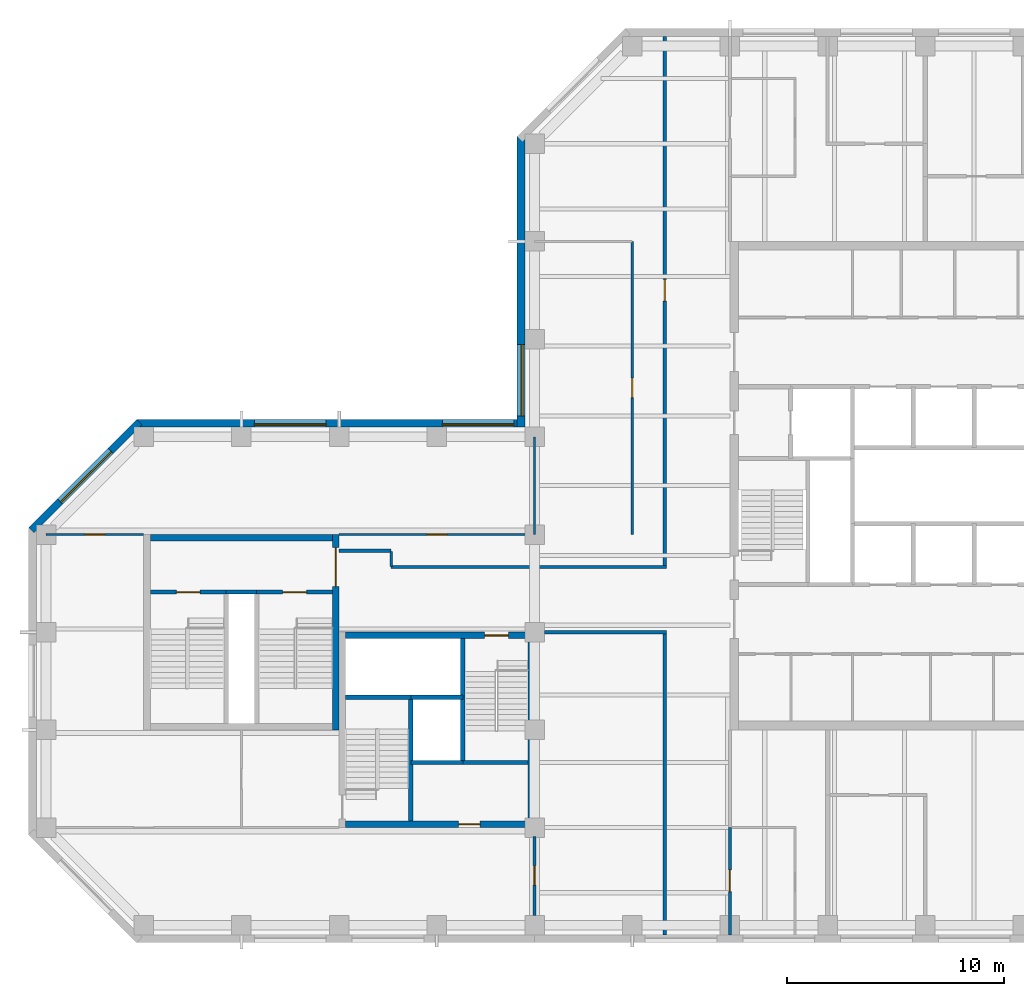
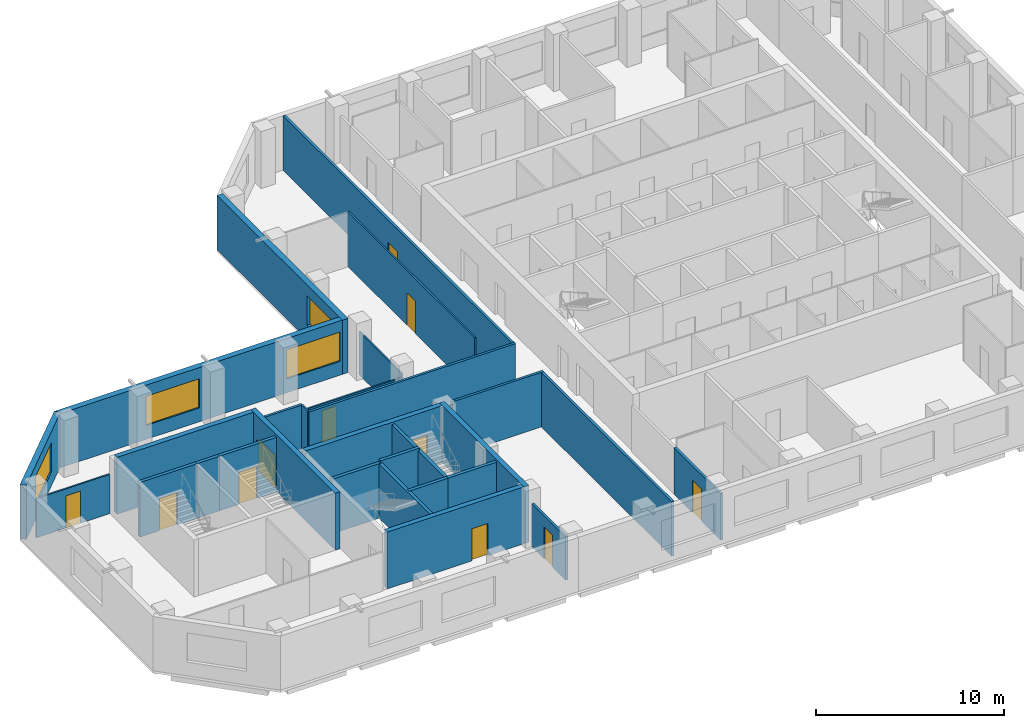
# One storey, part 3 of 9: 29 walls, 11 doors, 4 windows, 15 openings.
"""IFC4 building model written with IfcOpenShell, lengths in metres."""

from ifc_helpers import new_model, si_unit, direction, frame, frame_2d, origin, place, context, subcontext, project, spatial, rectangle, extrude, material, layer, layer_set, constituent, constituent_set, type_object, element, fill, save


model = new_model("IFC4")

# Units and contexts
model_context = context("Model", 3, precision=1e-05, world=origin(), true_north=direction((0.0, 1.0)))
body_context = subcontext(model_context, "Body", "Model", "MODEL_VIEW")
ifc_project = project(units=[si_unit("LENGTHUNIT", "METRE"), si_unit("AREAUNIT", "SQUARE_METRE"), si_unit("VOLUMEUNIT", "CUBIC_METRE"), si_unit("PLANEANGLEUNIT", "RADIAN"), si_unit("MASSUNIT", "GRAM", prefix="KILO")], contexts=[model_context])

# Site, building, storey
site_placement = place(None, origin())
site = spatial("IfcSite", under=ifc_project, at=site_placement, CompositionType="ELEMENT")
building_placement = place(site_placement, origin())
building = spatial("IfcBuilding", under=site, at=building_placement, Name="Quoin Convention Tower", CompositionType="ELEMENT")
storey_placement = place(building_placement, frame((0.0, 0.0, 230.39990234375)))
storey = spatial("IfcBuildingStorey", under=building, at=storey_placement, Name="L60", CompositionType="ELEMENT", Elevation=230.39990234375)

# Wall, opening, window
ifc_material_1 = material(Name="Brick masonry", Category="masonry")
ifc_layer_1 = layer(ifc_material_1, 0.35009765625)
ifc_layer_set_1 = layer_set([ifc_layer_1], Name="Brick masonry")
wall_type_1 = type_object("IfcWallType", Name="Brick facade wall", PredefinedType="STANDARD", material=ifc_layer_set_1)
wall_1_placement = place(storey_placement, frame((35.375, 76.831298828125, 0.0), z_axis=(0.0, 0.0, 1.0), x_axis=(0.0, -1.0, 0.0)))
wall_1 = element("IfcWall", 1, at=wall_1_placement, inside=storey, type_object=wall_type_1, Name="fw-L60-36000_76500", PredefinedType="STANDARD", context=body_context, shape_type="SweptSolid", body=[
    extrude(rectangle(XDim=13.38134765625, YDim=0.35009765625, at=frame_2d((6.690673828125, 0.0))), origin(), (0.0, 0.0, 1.0), 3.525146484375),
])
opening_1_placement = place(wall_1_placement, frame((9.581298828125, 0.0, 0.89990234375)))
opening_1 = element("IfcOpeningElement", 2, at=opening_1_placement, cuts=wall_1, Name="Opening W-02", PredefinedType="OPENING", context=body_context, shape_type="SweptSolid", body=[
    extrude(rectangle(XDim=3.300048828125, YDim=1.89990234375, at=frame_2d((1.64990234375, 0.949951171875))), frame((0.0, 0.18505859375, 0.0), z_axis=(0.0, -1.0, 0.0), x_axis=(1.0, 0.0, 0.0)), (0.0, 0.0, 1.0), 0.3701171875),
])
ifc_material_2 = material(Name="Aluminium", Category="aluminium")
ifc_constituent_1 = constituent(ifc_material_2, Name="Frame")
ifc_material_3 = material(Name="Insulated glass", Category="glass")
ifc_constituent_2 = constituent(ifc_material_3, Name="Glazing")
ifc_constituent_set = constituent_set(constituents=[ifc_constituent_1, ifc_constituent_2], Name="Aluminium")
window_type = type_object("IfcWindowType", Name="Office window", PartitioningType="DOUBLE_PANEL_VERTICAL", PredefinedType="WINDOW", material=ifc_constituent_set)
window_1_placement = place(opening_1_placement, origin())
window_1 = element("IfcWindow", 3, at=window_1_placement, inside=storey, type_object=window_type, Name="win-L60-35375_65250", OverallHeight=1.89990234375, OverallWidth=3.300048828125, PartitioningType="SINGLE_PANEL", PredefinedType="WINDOW", context=body_context, shape_type="SweptSolid", body=[
    extrude(rectangle(XDim=3.300048828125, YDim=1.89990234375, at=frame_2d((1.64990234375, 0.949951171875))), frame((0.0, 0.0849609375, 0.0), z_axis=(0.0, -1.0, 0.0), x_axis=(1.0, 0.0, 0.0)), (0.0, 0.0, 1.0), 0.06005859375),
])
fill(opening_1, window_1)

# Wall, openings, windows
wall_2_placement = place(storey_placement, frame((35.550048828125, 63.625, 0.0), z_axis=(0.0, 0.0, 1.0), x_axis=(-1.0, 0.0, 0.0)))
wall_2 = element("IfcWall", 4, at=wall_2_placement, inside=storey, type_object=wall_type_1, Name="fw-L60-36000_63000", PredefinedType="STANDARD", context=body_context, shape_type="SweptSolid", body=[
    extrude(rectangle(XDim=17.88134765625, YDim=0.35009765625, at=frame_2d((8.940673828125, 0.0))), origin(), (0.0, 0.0, 1.0), 3.525146484375),
])
opening_2_placement = place(wall_2_placement, frame((0.5, 0.0, 0.89990234375)))
opening_2 = element("IfcOpeningElement", 5, at=opening_2_placement, cuts=wall_2, Name="Opening W-02", PredefinedType="OPENING", context=body_context, shape_type="SweptSolid", body=[
    extrude(rectangle(XDim=3.300048828125, YDim=1.89990234375, at=frame_2d((1.64990234375, 0.949951171875))), frame((0.0, 0.18505859375, 0.0), z_axis=(0.0, -1.0, 0.0), x_axis=(1.0, 0.0, 0.0)), (0.0, 0.0, 1.0), 0.3701171875),
])
opening_3_placement = place(wall_2_placement, frame((9.14990234375, 0.0, 0.89990234375)))
opening_3 = element("IfcOpeningElement", 6, at=opening_3_placement, cuts=wall_2, Name="Opening W-02", PredefinedType="OPENING", context=body_context, shape_type="SweptSolid", body=[
    extrude(rectangle(XDim=3.300048828125, YDim=1.89990234375, at=frame_2d((1.64990234375, 0.949951171875))), frame((0.0, 0.18505859375, 0.0), z_axis=(0.0, -1.0, 0.0), x_axis=(1.0, 0.0, 0.0)), (0.0, 0.0, 1.0), 0.3701171875),
])
window_2_placement = place(opening_2_placement, origin())
window_2 = element("IfcWindow", 7, at=window_2_placement, inside=storey, type_object=window_type, Name="win-L60-33750_63625", OverallHeight=1.89990234375, OverallWidth=3.300048828125, PartitioningType="SINGLE_PANEL", PredefinedType="WINDOW", context=body_context, shape_type="SweptSolid", body=[
    extrude(rectangle(XDim=3.300048828125, YDim=1.89990234375, at=frame_2d((1.64990234375, 0.949951171875))), frame((0.0, 0.0849609375, 0.0), z_axis=(0.0, -1.0, 0.0), x_axis=(1.0, 0.0, 0.0)), (0.0, 0.0, 1.0), 0.06005859375),
])
fill(opening_2, window_2)
window_3_placement = place(opening_3_placement, origin())
window_3 = element("IfcWindow", 8, at=window_3_placement, inside=storey, type_object=window_type, Name="win-L60-24750_63625", OverallHeight=1.89990234375, OverallWidth=3.300048828125, PartitioningType="SINGLE_PANEL", PredefinedType="WINDOW", context=body_context, shape_type="SweptSolid", body=[
    extrude(rectangle(XDim=3.300048828125, YDim=1.89990234375, at=frame_2d((1.64990234375, 0.949951171875))), frame((0.0, 0.0849609375, 0.0), z_axis=(0.0, -1.0, 0.0), x_axis=(1.0, 0.0, 0.0)), (0.0, 0.0, 1.0), 0.06005859375),
])
fill(opening_3, window_3)

# Wall, opening, window
wall_3_placement = place(storey_placement, frame((17.79248046875, 63.67626953125, 0.0), z_axis=(0.0, 0.0, 1.0), x_axis=(-0.707106781187, -0.707106781187, 0.0)))
wall_3 = element("IfcWall", 9, at=wall_3_placement, inside=storey, type_object=wall_type_1, Name="fw-L60-18000_63000", PredefinedType="STANDARD", context=body_context, shape_type="SweptSolid", body=[
    extrude(rectangle(XDim=7.02685546875, YDim=0.35009765625, at=frame_2d((3.513427734375, 0.0))), origin(), (0.0, 0.0, 1.0), 3.525146484375),
])
opening_4_placement = place(wall_3_placement, frame((1.86328125, 0.0, 0.89990234375)))
opening_4 = element("IfcOpeningElement", 10, at=opening_4_placement, cuts=wall_3, Name="Opening W-02", PredefinedType="OPENING", context=body_context, shape_type="SweptSolid", body=[
    extrude(rectangle(XDim=3.300048828125, YDim=1.89990234375, at=frame_2d((1.64990234375, 0.949951171875))), frame((0.0, 0.18505859375, 0.0), z_axis=(0.0, -1.0, 0.0), x_axis=(1.0, 0.0, 0.0)), (0.0, 0.0, 1.0), 0.3701171875),
])
window_4_placement = place(opening_4_placement, origin())
window_4 = element("IfcWindow", 11, at=window_4_placement, inside=storey, type_object=window_type, Name="win-L60-15308_61192", OverallHeight=1.89990234375, OverallWidth=3.300048828125, PartitioningType="SINGLE_PANEL", PredefinedType="WINDOW", context=body_context, shape_type="SweptSolid", body=[
    extrude(rectangle(XDim=3.300048828125, YDim=1.89990234375, at=frame_2d((1.64990234375, 0.949951171875))), frame((0.0, 0.0849609375, 0.0), z_axis=(0.0, -1.0, 0.0), x_axis=(1.0, 0.0, 0.0)), (0.0, 0.0, 1.0), 0.06005859375),
])
fill(opening_4, window_4)

# Walls
ifc_material_4 = material(Name="Concrete C50", Category="concrete")
ifc_layer_2 = layer(ifc_material_4, 0.199951171875)
ifc_layer_set_2 = layer_set([ifc_layer_2], Name="Concrete C50")
wall_type_2 = type_object("IfcWallType", Name="Core shaft wall", PredefinedType="SOLIDWALL", material=ifc_layer_set_2)
wall_4_placement = place(storey_placement, frame((30.300048828125, 48.0, 0.0), z_axis=(0.0, 0.0, 1.0), x_axis=(1.0, 0.0, 0.0)))
element("IfcWall", 12, at=wall_4_placement, inside=storey, type_object=wall_type_2, Name="cr-P2-L60-h3000_3300", PredefinedType="SOLIDWALL", context=body_context, shape_type="SweptSolid", body=[
    extrude(rectangle(XDim=2.39990234375, YDim=0.199951171875, at=frame_2d((1.199951171875, 0.0))), origin(), (0.0, 0.0, 1.0), 3.550048828125),
])
for number, where, z_axis, x_axis, name in (
    (13, (32.699951171875, 48.0, 0.0), (0.0, 0.0, 1.0), (1.0, 0.0, 0.0), "cr-P2-L60-h3000_5700"),
    (14, (27.300048828125, 51.0, 0.0), (0.0, 0.0, 1.0), (1.0, 0.0, 0.0), "cr-P2-L60-h6000_300"),
):
    element("IfcWall", number, at=place(storey_placement, frame(where, z_axis=z_axis, x_axis=x_axis)), inside=storey, type_object=wall_type_2, Name=name, PredefinedType="SOLIDWALL", context=body_context, shape_type="SweptSolid", body=[
        extrude(rectangle(XDim=3.0, YDim=0.199951171875, at=frame_2d((1.5, 0.0))), origin(), (0.0, 0.0, 1.0), 3.550048828125),
    ])
for number, where, z_axis, x_axis, name in (
    (15, (30.300048828125, 45.300048828125, 0.0), (0.0, 0.0, 1.0), (0.0, 1.0, 0.0), "cr-P2-L60-v3300_300"),
    (16, (32.699951171875, 48.0, 0.0), (0.0, 0.0, 1.0), (0.0, 1.0, 0.0), "cr-P2-L60-v5700_3000"),
):
    element("IfcWall", number, at=place(storey_placement, frame(where, z_axis=z_axis, x_axis=x_axis)), inside=storey, type_object=wall_type_2, Name=name, PredefinedType="SOLIDWALL", context=body_context, shape_type="SweptSolid", body=[
        extrude(rectangle(XDim=5.699951171875, YDim=0.199951171875, at=frame_2d((2.85009765625, 0.0))), origin(), (0.0, 0.0, 1.0), 3.550048828125),
    ])
wall_5_placement = place(storey_placement, frame((21.800048828125, 55.85009765625, 0.0), z_axis=(0.0, 0.0, 1.0), x_axis=(1.0, 0.0, 0.0)))
element("IfcWall", 17, at=wall_5_placement, inside=storey, type_object=wall_type_2, Name="cr-P6-L60-h6350_3800", PredefinedType="SOLIDWALL", context=body_context, shape_type="SweptSolid", body=[
    extrude(rectangle(XDim=1.39990234375, YDim=0.199951171875, at=frame_2d((0.699951171875, 0.0))), origin(), (0.0, 0.0, 1.0), 3.550048828125),
])

# Wall, opening, door
wall_6_placement = place(storey_placement, frame((18.300048828125, 55.85009765625, 0.0), z_axis=(0.0, 0.0, 1.0), x_axis=(1.0, 0.0, 0.0)))
wall_6 = element("IfcWall", 18, at=wall_6_placement, inside=storey, type_object=wall_type_2, Name="cr-P6-L60-h6350_300", PredefinedType="SOLIDWALL", context=body_context, shape_type="SweptSolid", body=[
    extrude(rectangle(XDim=3.5, YDim=0.199951171875, at=frame_2d((1.75, 0.0))), origin(), (0.0, 0.0, 1.0), 3.550048828125),
])
opening_5_placement = place(wall_6_placement, frame((1.199951171875, 0.0, 0.0)))
opening_5 = element("IfcOpeningElement", 19, at=opening_5_placement, cuts=wall_6, Name="Opening SD11", PredefinedType="OPENING", context=body_context, shape_type="SweptSolid", body=[
    extrude(rectangle(XDim=1.10009765625, YDim=2.10009765625, at=frame_2d((0.550048828125, 1.050048828125))), frame((0.0, 0.10986328125, 0.0), z_axis=(0.0, -1.0, 0.0), x_axis=(1.0, 0.0, 0.0)), (0.0, 0.0, 1.0), 0.219970703125),
])
ifc_material_5 = material(Name="Steel door leaf", Category="steel")
door_type_1 = type_object("IfcDoorType", Name="Stair door 1100 x 2100", OperationType="SINGLE_SWING_RIGHT", PredefinedType="DOOR", material=ifc_material_5)
door_1_placement = place(opening_5_placement, origin())
door_1 = element("IfcDoor", 20, at=door_1_placement, inside=storey, type_object=door_type_1, Name="cd-P6-L60-SA-R2-SD11", OperationType="SINGLE_SWING_RIGHT", OverallHeight=2.10009765625, OverallWidth=1.10009765625, PredefinedType="DOOR", context=body_context, shape_type="SweptSolid", body=[
    extrude(rectangle(XDim=1.10009765625, YDim=2.10009765625, at=frame_2d((0.550048828125, 1.050048828125))), frame((0.0, 0.02490234375, 0.0), z_axis=(0.0, -1.0, 0.0), x_axis=(1.0, 0.0, 0.0)), (0.0, 0.0, 1.0), 0.050048828125),
])
fill(opening_5, door_1)

wall_7_placement = place(storey_placement, frame((23.199951171875, 55.85009765625, 0.0), z_axis=(0.0, 0.0, 1.0), x_axis=(1.0, 0.0, 0.0)))
wall_7 = element("IfcWall", 21, at=wall_7_placement, inside=storey, type_object=wall_type_2, Name="cr-P6-L60-h6350_5200", PredefinedType="SOLIDWALL", context=body_context, shape_type="SweptSolid", body=[
    extrude(rectangle(XDim=3.5, YDim=0.199951171875, at=frame_2d((1.75, 0.0))), origin(), (0.0, 0.0, 1.0), 3.550048828125),
])
opening_6_placement = place(wall_7_placement, frame((1.199951171875, 0.0, 0.0)))
opening_6 = element("IfcOpeningElement", 22, at=opening_6_placement, cuts=wall_7, Name="Opening SD12", PredefinedType="OPENING", context=body_context, shape_type="SweptSolid", body=[
    extrude(rectangle(XDim=1.10009765625, YDim=2.10009765625, at=frame_2d((0.550048828125, 1.050048828125))), frame((0.0, 0.10986328125, 0.0), z_axis=(0.0, -1.0, 0.0), x_axis=(1.0, 0.0, 0.0)), (0.0, 0.0, 1.0), 0.219970703125),
])
door_2_placement = place(opening_6_placement, origin())
door_2 = element("IfcDoor", 23, at=door_2_placement, inside=storey, type_object=door_type_1, Name="cd-P6-L60-SB-R2-SD12", OperationType="SINGLE_SWING_RIGHT", OverallHeight=2.10009765625, OverallWidth=1.10009765625, PredefinedType="DOOR", context=body_context, shape_type="SweptSolid", body=[
    extrude(rectangle(XDim=1.10009765625, YDim=2.10009765625, at=frame_2d((0.550048828125, 1.050048828125))), frame((0.0, 0.02490234375, 0.0), z_axis=(0.0, -1.0, 0.0), x_axis=(1.0, 0.0, 0.0)), (0.0, 0.0, 1.0), 0.050048828125),
])
fill(opening_6, door_2)

# Walls
ifc_layer_3 = layer(ifc_material_4, 0.199951171875)
ifc_layer_set_3 = layer_set([ifc_layer_3], Name="Concrete C50")
wall_type_3 = type_object("IfcWallType", Name="Core shaft wall to the floor level over", PredefinedType="SOLIDWALL", material=ifc_layer_set_3)
wall_8_placement = place(storey_placement, frame((30.300048828125, 51.0, 0.0), z_axis=(0.0, 0.0, 1.0), x_axis=(1.0, 0.0, 0.0)))
element("IfcWall", 24, at=wall_8_placement, inside=storey, type_object=wall_type_3, Name="cr-P2-L60-h6000_3300", PredefinedType="SOLIDWALL", context=body_context, shape_type="SweptSolid", body=[
    extrude(rectangle(XDim=2.39990234375, YDim=0.199951171875, at=frame_2d((1.199951171875, 0.0))), origin(), (0.0, 0.0, 1.0), 3.7001953125),
])
ifc_material_6 = material(Name="Plasterboard")
ifc_layer_4 = layer(ifc_material_6, 0.012451171875, Name="Finish")
ifc_material_7 = material(Name="Steel stud framing", Category="steel")
ifc_layer_5 = layer(ifc_material_7, 0.125, Name="Structure")
ifc_layer_6 = layer(ifc_material_6, 0.012451171875, Name="Finish")
ifc_layer_set_4 = layer_set([ifc_layer_4, ifc_layer_5, ifc_layer_6], Name="Steel stud framing")
wall_type_4 = type_object("IfcWallType", Name="Corridor wall 150", PredefinedType="PARTITIONING", material=ifc_layer_set_4)
wall_9_placement = place(storey_placement, frame((36.449951171875, 54.0, 0.0), z_axis=(0.0, 0.0, 1.0), x_axis=(1.0, 0.0, 0.0)))
element("IfcWall", 25, at=wall_9_placement, inside=storey, type_object=wall_type_4, Name="pw-L60-014", PredefinedType="PARTITIONING", context=body_context, shape_type="SweptSolid", body=[
    extrude(rectangle(XDim=5.625, YDim=0.14990234375, at=frame_2d((2.8125, 0.0))), origin(), (0.0, 0.0, 1.0), 3.550048828125),
])
wall_10_placement = place(storey_placement, frame((29.3798828125, 57.0, 0.0), z_axis=(0.0, 0.0, 1.0), x_axis=(1.0, 0.0, 0.0)))
element("IfcWall", 26, at=wall_10_placement, inside=storey, type_object=wall_type_4, Name="pw-L60-015", PredefinedType="PARTITIONING", context=body_context, shape_type="SweptSolid", body=[
    extrude(rectangle(XDim=12.695068359375, YDim=0.14990234375, at=frame_2d((6.34765625, 0.0))), origin(), (0.0, 0.0, 1.0), 3.550048828125),
])
wall_11_placement = place(storey_placement, frame((42.0, 40.050048828125, 0.0), z_axis=(0.0, 0.0, 1.0), x_axis=(0.0, 1.0, 0.0)))
element("IfcWall", 27, at=wall_11_placement, inside=storey, type_object=wall_type_4, Name="pw-L60-035", PredefinedType="PARTITIONING", context=body_context, shape_type="SweptSolid", body=[
    extrude(rectangle(XDim=13.875, YDim=0.14990234375, at=frame_2d((6.9375, 0.0))), origin(), (0.0, 0.0, 1.0), 3.550048828125),
])

# Wall, opening, door
wall_12_placement = place(storey_placement, frame((42.0, 57.074951171875, 0.0), z_axis=(0.0, 0.0, 1.0), x_axis=(0.0, 1.0, 0.0)))
wall_12 = element("IfcWall", 28, at=wall_12_placement, inside=storey, type_object=wall_type_4, Name="pw-L60-057", PredefinedType="PARTITIONING", context=body_context, shape_type="SweptSolid", body=[
    extrude(rectangle(XDim=24.375, YDim=0.14990234375, at=frame_2d((12.1875, 0.0))), origin(), (0.0, 0.0, 1.0), 3.550048828125),
])
opening_7_placement = place(wall_12_placement, frame((12.175048828125, 0.0, 0.0)))
opening_7 = element("IfcOpeningElement", 29, at=opening_7_placement, cuts=wall_12, Name="Opening DOH10-14", PredefinedType="OPENING", context=body_context, shape_type="SweptSolid", body=[
    extrude(rectangle(XDim=1.0, YDim=2.10009765625, at=frame_2d((0.5, 1.050048828125))), frame((0.0, 0.0849609375, 0.0), z_axis=(0.0, -1.0, 0.0), x_axis=(1.0, 0.0, 0.0)), (0.0, 0.0, 1.0), 0.169921875),
])
door_type_2 = type_object("IfcDoorType", Name="Tenancy entrance door 1000 x 2100", OperationType="DOUBLE_DOOR_SINGLE_SWING", PredefinedType="DOOR", material=ifc_material_5)
door_3_placement = place(opening_7_placement, origin())
door_3 = element("IfcDoor", 30, at=door_3_placement, inside=storey, type_object=door_type_2, Name="dr-L60-w01", OperationType="DOUBLE_DOOR_SINGLE_SWING", OverallHeight=2.10009765625, OverallWidth=1.0, PredefinedType="DOOR", context=body_context, shape_type="SweptSolid", body=[
    extrude(rectangle(XDim=1.0, YDim=2.10009765625, at=frame_2d((0.5, 1.050048828125))), frame((0.0, 0.02490234375, 0.0), z_axis=(0.0, -1.0, 0.0), x_axis=(1.0, 0.0, 0.0)), (0.0, 0.0, 1.0), 0.050048828125),
])
fill(opening_7, door_3)

# Wall
wall_13_placement = place(storey_placement, frame((27.0, 57.75, 0.0), z_axis=(0.0, 0.0, 1.0), x_axis=(1.0, 0.0, 0.0)))
element("IfcWall", 31, at=wall_13_placement, inside=storey, type_object=wall_type_4, Name="pw-L60-w09", PredefinedType="PARTITIONING", context=body_context, shape_type="SweptSolid", body=[
    extrude(rectangle(XDim=2.39990234375, YDim=0.14990234375, at=frame_2d((1.199951171875, 0.0))), origin(), (0.0, 0.0, 1.0), 3.550048828125),
])

# Wall, opening, door
ifc_layer_7 = layer(ifc_material_6, 0.012451171875, Name="Finish")
ifc_layer_8 = layer(ifc_material_7, 0.125, Name="Structure")
ifc_layer_9 = layer(ifc_material_6, 0.012451171875, Name="Finish")
ifc_layer_set_5 = layer_set([ifc_layer_7, ifc_layer_8, ifc_layer_9], Name="Steel stud framing")
wall_type_5 = type_object("IfcWallType", Name="Corridor wall 150 under beam 528", PredefinedType="PARTITIONING", material=ifc_layer_set_5)
wall_14_placement = place(storey_placement, frame((45.0, 40.050048828125, 0.0), z_axis=(0.0, 0.0, 1.0), x_axis=(0.0, 1.0, 0.0)))
wall_14 = element("IfcWall", 32, at=wall_14_placement, inside=storey, type_object=wall_type_5, Name="pw-L60-036", PredefinedType="PARTITIONING", context=body_context, shape_type="SweptSolid", body=[
    extrude(rectangle(XDim=4.949951171875, YDim=0.14990234375, at=frame_2d((2.47509765625, 0.0))), origin(), (0.0, 0.0, 1.0), 3.022216796875),
])
opening_8_placement = place(wall_14_placement, frame((2.0, 0.0, 0.0)))
opening_8 = element("IfcOpeningElement", 33, at=opening_8_placement, cuts=wall_14, Name="Opening DOH10-08", PredefinedType="OPENING", context=body_context, shape_type="SweptSolid", body=[
    extrude(rectangle(XDim=1.0, YDim=2.10009765625, at=frame_2d((0.5, 1.050048828125))), frame((0.0, 0.0849609375, 0.0), z_axis=(0.0, -1.0, 0.0), x_axis=(1.0, 0.0, 0.0)), (0.0, 0.0, 1.0), 0.169921875),
])
door_4_placement = place(opening_8_placement, frame((1.0, 0.0, 0.0), z_axis=(0.0, 0.0, 1.0), x_axis=(-1.0, 0.0, 0.0)))
door_4 = element("IfcDoor", 34, at=door_4_placement, inside=storey, type_object=door_type_2, Name="dr-L60-10", OperationType="DOUBLE_DOOR_SINGLE_SWING", OverallHeight=2.10009765625, OverallWidth=1.0, PredefinedType="DOOR", context=body_context, shape_type="SweptSolid", body=[
    extrude(rectangle(XDim=1.0, YDim=2.10009765625, at=frame_2d((0.5, 1.050048828125))), frame((0.0, 0.02490234375, 0.0), z_axis=(0.0, -1.0, 0.0), x_axis=(1.0, 0.0, 0.0)), (0.0, 0.0, 1.0), 0.050048828125),
])
fill(opening_8, door_4)

ifc_layer_10 = layer(ifc_material_6, 0.012451171875, Name="Finish")
ifc_layer_11 = layer(ifc_material_7, 0.125, Name="Structure")
ifc_layer_12 = layer(ifc_material_6, 0.012451171875, Name="Finish")
ifc_layer_set_6 = layer_set([ifc_layer_10, ifc_layer_11, ifc_layer_12], Name="Steel stud framing")
wall_type_6 = type_object("IfcWallType", Name="Corridor wall 150 under beam 750", PredefinedType="PARTITIONING", material=ifc_layer_set_6)
wall_15_placement = place(storey_placement, frame((36.0, 40.949951171875, 0.0), z_axis=(0.0, 0.0, 1.0), x_axis=(0.0, 1.0, 0.0)))
wall_15 = element("IfcWall", 35, at=wall_15_placement, inside=storey, type_object=wall_type_6, Name="pw-L60-042", PredefinedType="PARTITIONING", context=body_context, shape_type="SweptSolid", body=[
    extrude(rectangle(XDim=3.630126953125, YDim=0.14990234375, at=frame_2d((1.81494140625, 0.0))), origin(), (0.0, 0.0, 1.0), 2.800048828125),
])
opening_9_placement = place(wall_15_placement, frame((1.39990234375, 0.0, 0.0)))
opening_9 = element("IfcOpeningElement", 36, at=opening_9_placement, cuts=wall_15, Name="Opening DOH10-10", PredefinedType="OPENING", context=body_context, shape_type="SweptSolid", body=[
    extrude(rectangle(XDim=0.89990234375, YDim=2.10009765625, at=frame_2d((0.449951171875, 1.050048828125))), frame((0.0, 0.0849609375, 0.0), z_axis=(0.0, -1.0, 0.0), x_axis=(1.0, 0.0, 0.0)), (0.0, 0.0, 1.0), 0.169921875),
])
door_type_3 = type_object("IfcDoorType", Name="Office door 900 x 2100", OperationType="SINGLE_SWING_RIGHT", PredefinedType="DOOR", material=ifc_material_5)
door_5_placement = place(opening_9_placement, origin())
door_5 = element("IfcDoor", 37, at=door_5_placement, inside=storey, type_object=door_type_3, Name="dr-L60-01", OperationType="SINGLE_SWING_RIGHT", OverallHeight=2.10009765625, OverallWidth=0.89990234375, PredefinedType="DOOR", context=body_context, shape_type="SweptSolid", body=[
    extrude(rectangle(XDim=0.89990234375, YDim=2.10009765625, at=frame_2d((0.449951171875, 1.050048828125))), frame((0.0, 0.02490234375, 0.0), z_axis=(0.0, -1.0, 0.0), x_axis=(1.0, 0.0, 0.0)), (0.0, 0.0, 1.0), 0.050048828125),
])
fill(opening_9, door_5)

ifc_layer_13 = layer(ifc_material_4, 0.300048828125)
ifc_layer_set_7 = layer_set([ifc_layer_13], Name="Concrete C50")
wall_type_7 = type_object("IfcWallType", Name="RC CORE WALL 300 C50", PredefinedType="SHEAR", material=ifc_layer_set_7)
wall_16_placement = place(storey_placement, frame((27.300048828125, 45.14990234375, 0.0), z_axis=(0.0, 0.0, 1.0), x_axis=(1.0, 0.0, 0.0)))
wall_16 = element("IfcWall", 38, at=wall_16_placement, inside=storey, type_object=wall_type_7, Name="cwl-P2-L60-S", PredefinedType="SHEAR", context=body_context, shape_type="SweptSolid", body=[
    extrude(rectangle(XDim=8.39990234375, YDim=0.300048828125, at=frame_2d((4.199951171875, 0.0))), origin(), (0.0, 0.0, 1.0), 3.7001953125),
])
opening_10_placement = place(wall_16_placement, frame((5.199951171875, 0.0, 0.0)))
opening_10 = element("IfcOpeningElement", 39, at=opening_10_placement, cuts=wall_16, Name="Opening DCV2-41", PredefinedType="OPENING", context=body_context, shape_type="SweptSolid", body=[
    extrude(rectangle(XDim=1.0, YDim=2.10009765625, at=frame_2d((0.5, 1.050048828125))), frame((0.0, 0.159912109375, 0.0), z_axis=(0.0, -1.0, 0.0), x_axis=(1.0, 0.0, 0.0)), (0.0, 0.0, 1.0), 0.320068359375),
])
door_type_4 = type_object("IfcDoorType", Name="Service door 1000 x 2100", OperationType="SINGLE_SWING_LEFT", PredefinedType="DOOR", material=ifc_material_5)
door_6_placement = place(opening_10_placement, frame((1.0, 0.0, 0.0), z_axis=(0.0, 0.0, 1.0), x_axis=(-1.0, 0.0, 0.0)))
door_6 = element("IfcDoor", 40, at=door_6_placement, inside=storey, type_object=door_type_4, Name="cd-P2-L60-R2-S", OperationType="SINGLE_SWING_LEFT", OverallHeight=2.10009765625, OverallWidth=1.0, PredefinedType="DOOR", context=body_context, shape_type="SweptSolid", body=[
    extrude(rectangle(XDim=1.0, YDim=2.10009765625, at=frame_2d((0.5, 1.050048828125))), frame((0.0, 0.02490234375, 0.0), z_axis=(0.0, -1.0, 0.0), x_axis=(1.0, 0.0, 0.0)), (0.0, 0.0, 1.0), 0.050048828125),
])
fill(opening_10, door_6)

wall_17_placement = place(storey_placement, frame((27.300048828125, 53.85009765625, 0.0), z_axis=(0.0, 0.0, 1.0), x_axis=(1.0, 0.0, 0.0)))
wall_17 = element("IfcWall", 41, at=wall_17_placement, inside=storey, type_object=wall_type_7, Name="cwl-P2-L60-N", PredefinedType="SHEAR", context=body_context, shape_type="SweptSolid", body=[
    extrude(rectangle(XDim=8.39990234375, YDim=0.300048828125, at=frame_2d((4.199951171875, 0.0))), origin(), (0.0, 0.0, 1.0), 3.7001953125),
])
opening_11_placement = place(wall_17_placement, frame((6.39990234375, 0.0, 0.0)))
opening_11 = element("IfcOpeningElement", 42, at=opening_11_placement, cuts=wall_17, Name="Opening SD4", PredefinedType="OPENING", context=body_context, shape_type="SweptSolid", body=[
    extrude(rectangle(XDim=1.10009765625, YDim=2.10009765625, at=frame_2d((0.550048828125, 1.050048828125))), frame((0.0, 0.159912109375, 0.0), z_axis=(0.0, -1.0, 0.0), x_axis=(1.0, 0.0, 0.0)), (0.0, 0.0, 1.0), 0.320068359375),
])
door_7_placement = place(opening_11_placement, frame((1.10009765625, 0.0, 0.0), z_axis=(0.0, 0.0, 1.0), x_axis=(-1.0, 0.0, 0.0)))
door_7 = element("IfcDoor", 43, at=door_7_placement, inside=storey, type_object=door_type_1, Name="cd-P2-L60-SB-N", OperationType="SINGLE_SWING_LEFT", OverallHeight=2.10009765625, OverallWidth=1.10009765625, PredefinedType="DOOR", context=body_context, shape_type="SweptSolid", body=[
    extrude(rectangle(XDim=1.10009765625, YDim=2.10009765625, at=frame_2d((0.550048828125, 1.050048828125))), frame((0.0, 0.02490234375, 0.0), z_axis=(0.0, -1.0, 0.0), x_axis=(1.0, 0.0, 0.0)), (0.0, 0.0, 1.0), 0.050048828125),
])
fill(opening_11, door_7)

# Walls
wall_18_placement = place(storey_placement, frame((35.85009765625, 45.0, 0.0), z_axis=(0.0, 0.0, 1.0), x_axis=(0.0, 1.0, 0.0)))
element("IfcWall", 44, at=wall_18_placement, inside=storey, type_object=wall_type_7, Name="cwl-P2-L60-E", PredefinedType="SHEAR", context=body_context, shape_type="SweptSolid", body=[
    extrude(rectangle(XDim=9.0, YDim=0.300048828125, at=frame_2d((4.5, 0.0))), origin(), (0.0, 0.0, 1.0), 3.7001953125),
])
wall_19_placement = place(storey_placement, frame((18.300048828125, 58.35009765625, 0.0), z_axis=(0.0, 0.0, 1.0), x_axis=(1.0, 0.0, 0.0)))
element("IfcWall", 45, at=wall_19_placement, inside=storey, type_object=wall_type_7, Name="cwl-P6-L60-N", PredefinedType="SHEAR", context=body_context, shape_type="SweptSolid", body=[
    extrude(rectangle(XDim=8.39990234375, YDim=0.300048828125, at=frame_2d((4.199951171875, 0.0))), origin(), (0.0, 0.0, 1.0), 3.7001953125),
])

# Wall, opening, door
wall_20_placement = place(storey_placement, frame((26.85009765625, 49.5, 0.0), z_axis=(0.0, 0.0, 1.0), x_axis=(0.0, 1.0, 0.0)))
wall_20 = element("IfcWall", 46, at=wall_20_placement, inside=storey, type_object=wall_type_7, Name="cwl-P6-L60-E", PredefinedType="SHEAR", context=body_context, shape_type="SweptSolid", body=[
    extrude(rectangle(XDim=9.0, YDim=0.300048828125, at=frame_2d((4.5, 0.0))), origin(), (0.0, 0.0, 1.0), 3.7001953125),
])
opening_12_placement = place(wall_20_placement, frame((6.60009765625, 0.0, 0.0)))
opening_12 = element("IfcOpeningElement", 47, at=opening_12_placement, cuts=wall_20, Name="Opening DCV2-44", PredefinedType="OPENING", context=body_context, shape_type="SweptSolid", body=[
    extrude(rectangle(XDim=1.800048828125, YDim=2.10009765625, at=frame_2d((0.89990234375, 1.050048828125))), frame((0.0, 0.159912109375, 0.0), z_axis=(0.0, -1.0, 0.0), x_axis=(1.0, 0.0, 0.0)), (0.0, 0.0, 1.0), 0.320068359375),
])
door_type_5 = type_object("IfcDoorType", Name="Goods lobby door 1800 x 2100", OperationType="SINGLE_SWING_LEFT", PredefinedType="DOOR", material=ifc_material_5)
door_8_placement = place(opening_12_placement, origin())
door_8 = element("IfcDoor", 48, at=door_8_placement, inside=storey, type_object=door_type_5, Name="cd-P6-L60-R2-E", OperationType="SINGLE_SWING_LEFT", OverallHeight=2.10009765625, OverallWidth=1.800048828125, PredefinedType="DOOR", context=body_context, shape_type="SweptSolid", body=[
    extrude(rectangle(XDim=1.800048828125, YDim=2.10009765625, at=frame_2d((0.89990234375, 1.050048828125))), frame((0.0, 0.02490234375, 0.0), z_axis=(0.0, -1.0, 0.0), x_axis=(1.0, 0.0, 0.0)), (0.0, 0.0, 1.0), 0.050048828125),
])
fill(opening_12, door_8)

ifc_layer_14 = layer(ifc_material_6, 0.012451171875, Name="Finish")
ifc_layer_15 = layer(ifc_material_7, 0.074951171875, Name="Structure")
ifc_layer_16 = layer(ifc_material_6, 0.012451171875, Name="Finish")
ifc_layer_set_8 = layer_set([ifc_layer_14, ifc_layer_15, ifc_layer_16], Name="Steel stud framing")
wall_type_8 = type_object("IfcWallType", Name="Stud partition 100", PredefinedType="PARTITIONING", material=ifc_layer_set_8)
wall_21_placement = place(storey_placement, frame((40.5, 72.0, 0.0), z_axis=(0.0, 0.0, 1.0), x_axis=(0.0, -1.0, 0.0)))
wall_21 = element("IfcWall", 49, at=wall_21_placement, inside=storey, type_object=wall_type_8, Name="pw-L60-w02", PredefinedType="PARTITIONING", context=body_context, shape_type="SweptSolid", body=[
    extrude(rectangle(XDim=13.5, YDim=0.10009765625, at=frame_2d((6.75, 0.0))), origin(), (0.0, 0.0, 1.0), 3.550048828125),
])
opening_13_placement = place(wall_21_placement, frame((6.300048828125, 0.0, 0.0)))
opening_13 = element("IfcOpeningElement", 50, at=opening_13_placement, cuts=wall_21, Name="Opening DOH10-24", PredefinedType="OPENING", context=body_context, shape_type="SweptSolid", body=[
    extrude(rectangle(XDim=0.89990234375, YDim=2.10009765625, at=frame_2d((0.449951171875, 1.050048828125))), frame((0.0, 0.06005859375, 0.0), z_axis=(0.0, -1.0, 0.0), x_axis=(1.0, 0.0, 0.0)), (0.0, 0.0, 1.0), 0.1201171875),
])
door_9_placement = place(opening_13_placement, frame((0.89990234375, 0.0, 0.0), z_axis=(0.0, 0.0, 1.0), x_axis=(-1.0, 0.0, 0.0)))
door_9 = element("IfcDoor", 51, at=door_9_placement, inside=storey, type_object=door_type_3, Name="dr-L60-w02", OperationType="SINGLE_SWING_RIGHT", OverallHeight=2.10009765625, OverallWidth=0.89990234375, PredefinedType="DOOR", context=body_context, shape_type="SweptSolid", body=[
    extrude(rectangle(XDim=0.89990234375, YDim=2.10009765625, at=frame_2d((0.449951171875, 1.050048828125))), frame((0.0, 0.02490234375, 0.0), z_axis=(0.0, -1.0, 0.0), x_axis=(1.0, 0.0, 0.0)), (0.0, 0.0, 1.0), 0.050048828125),
])
fill(opening_13, door_9)

# Wall
wall_22_placement = place(storey_placement, frame((29.39990234375, 57.715087890625, 0.0), z_axis=(0.0, 0.0, 1.0), x_axis=(0.0, -1.0, 0.0)))
element("IfcWall", 52, at=wall_22_placement, inside=storey, type_object=wall_type_8, Name="pw-L60-w10", PredefinedType="PARTITIONING", context=body_context, shape_type="SweptSolid", body=[
    extrude(rectangle(XDim=0.68017578125, YDim=0.10009765625, at=frame_2d((0.340087890625, 0.0))), origin(), (0.0, 0.0, 1.0), 3.550048828125),
])

# Wall, opening, door
ifc_layer_17 = layer(ifc_material_6, 0.012451171875, Name="Finish")
ifc_layer_18 = layer(ifc_material_7, 0.074951171875, Name="Structure")
ifc_layer_19 = layer(ifc_material_6, 0.012451171875, Name="Finish")
ifc_layer_set_9 = layer_set([ifc_layer_17, ifc_layer_18, ifc_layer_19], Name="Steel stud framing")
wall_type_9 = type_object("IfcWallType", Name="Stud partition 100 under beam 1000", PredefinedType="PARTITIONING", material=ifc_layer_set_9)
wall_23_placement = place(storey_placement, frame((36.0, 58.5, 0.0), z_axis=(0.0, 0.0, 1.0), x_axis=(-1.0, 0.0, 0.0)))
wall_23 = element("IfcWall", 53, at=wall_23_placement, inside=storey, type_object=wall_type_9, Name="pw-L60-w04", PredefinedType="PARTITIONING", context=body_context, shape_type="SweptSolid", body=[
    extrude(rectangle(XDim=9.0, YDim=0.10009765625, at=frame_2d((4.5, 0.0))), origin(), (0.0, 0.0, 1.0), 2.550048828125),
])
opening_14_placement = place(wall_23_placement, frame((4.050048828125, 0.0, 0.0)))
opening_14 = element("IfcOpeningElement", 54, at=opening_14_placement, cuts=wall_23, Name="Opening DOH10-25", PredefinedType="OPENING", context=body_context, shape_type="SweptSolid", body=[
    extrude(rectangle(XDim=0.89990234375, YDim=2.10009765625, at=frame_2d((0.449951171875, 1.050048828125))), frame((0.0, 0.06005859375, 0.0), z_axis=(0.0, -1.0, 0.0), x_axis=(1.0, 0.0, 0.0)), (0.0, 0.0, 1.0), 0.1201171875),
])
door_10_placement = place(opening_14_placement, frame((0.89990234375, 0.0, 0.0), z_axis=(0.0, 0.0, 1.0), x_axis=(-1.0, 0.0, 0.0)))
door_10 = element("IfcDoor", 55, at=door_10_placement, inside=storey, type_object=door_type_3, Name="dr-L60-w03", OperationType="SINGLE_SWING_RIGHT", OverallHeight=2.10009765625, OverallWidth=0.89990234375, PredefinedType="DOOR", context=body_context, shape_type="SweptSolid", body=[
    extrude(rectangle(XDim=0.89990234375, YDim=2.10009765625, at=frame_2d((0.449951171875, 1.050048828125))), frame((0.0, 0.02490234375, 0.0), z_axis=(0.0, -1.0, 0.0), x_axis=(1.0, 0.0, 0.0)), (0.0, 0.0, 1.0), 0.050048828125),
])
fill(opening_14, door_10)

wall_24_placement = place(storey_placement, frame((13.5, 58.5, 0.0), z_axis=(0.0, 0.0, 1.0), x_axis=(1.0, 0.0, 0.0)))
wall_24 = element("IfcWall", 56, at=wall_24_placement, inside=storey, type_object=wall_type_9, Name="pw-L60-w05", PredefinedType="PARTITIONING", context=body_context, shape_type="SweptSolid", body=[
    extrude(rectangle(XDim=4.5, YDim=0.10009765625, at=frame_2d((2.25, 0.0))), origin(), (0.0, 0.0, 1.0), 2.550048828125),
])
opening_15_placement = place(wall_24_placement, frame((1.800048828125, 0.0, 0.0)))
opening_15 = element("IfcOpeningElement", 57, at=opening_15_placement, cuts=wall_24, Name="Opening DOH10-26", PredefinedType="OPENING", context=body_context, shape_type="SweptSolid", body=[
    extrude(rectangle(XDim=0.89990234375, YDim=2.10009765625, at=frame_2d((0.449951171875, 1.050048828125))), frame((0.0, 0.06005859375, 0.0), z_axis=(0.0, -1.0, 0.0), x_axis=(1.0, 0.0, 0.0)), (0.0, 0.0, 1.0), 0.1201171875),
])
door_11_placement = place(opening_15_placement, origin())
door_11 = element("IfcDoor", 58, at=door_11_placement, inside=storey, type_object=door_type_3, Name="dr-L60-w04", OperationType="SINGLE_SWING_RIGHT", OverallHeight=2.10009765625, OverallWidth=0.89990234375, PredefinedType="DOOR", context=body_context, shape_type="SweptSolid", body=[
    extrude(rectangle(XDim=0.89990234375, YDim=2.10009765625, at=frame_2d((0.449951171875, 1.050048828125))), frame((0.0, 0.02490234375, 0.0), z_axis=(0.0, -1.0, 0.0), x_axis=(1.0, 0.0, 0.0)), (0.0, 0.0, 1.0), 0.050048828125),
])
fill(opening_15, door_11)

# Wall
ifc_layer_20 = layer(ifc_material_6, 0.012451171875, Name="Finish")
ifc_layer_21 = layer(ifc_material_7, 0.074951171875, Name="Structure")
ifc_layer_22 = layer(ifc_material_6, 0.012451171875, Name="Finish")
ifc_layer_set_10 = layer_set([ifc_layer_20, ifc_layer_21, ifc_layer_22], Name="Steel stud framing")
wall_type_10 = type_object("IfcWallType", Name="Stud partition 100 under beam 750", PredefinedType="PARTITIONING", material=ifc_layer_set_10)
wall_25_placement = place(storey_placement, frame((36.0, 63.0, 0.0), z_axis=(0.0, 0.0, 1.0), x_axis=(0.0, -1.0, 0.0)))
element("IfcWall", 59, at=wall_25_placement, inside=storey, type_object=wall_type_10, Name="pw-L60-w03", PredefinedType="PARTITIONING", context=body_context, shape_type="SweptSolid", body=[
    extrude(rectangle(XDim=4.5, YDim=0.10009765625, at=frame_2d((2.25, 0.0))), origin(), (0.0, 0.0, 1.0), 2.800048828125),
])

save(model, "model.ifc")
